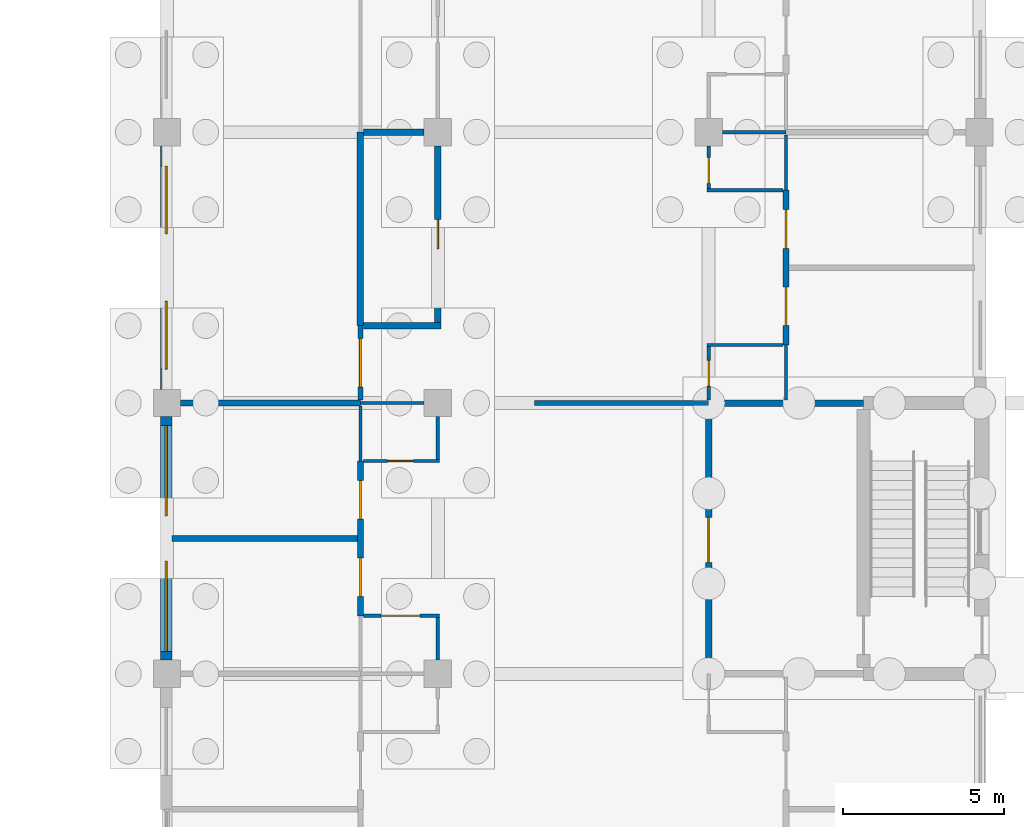
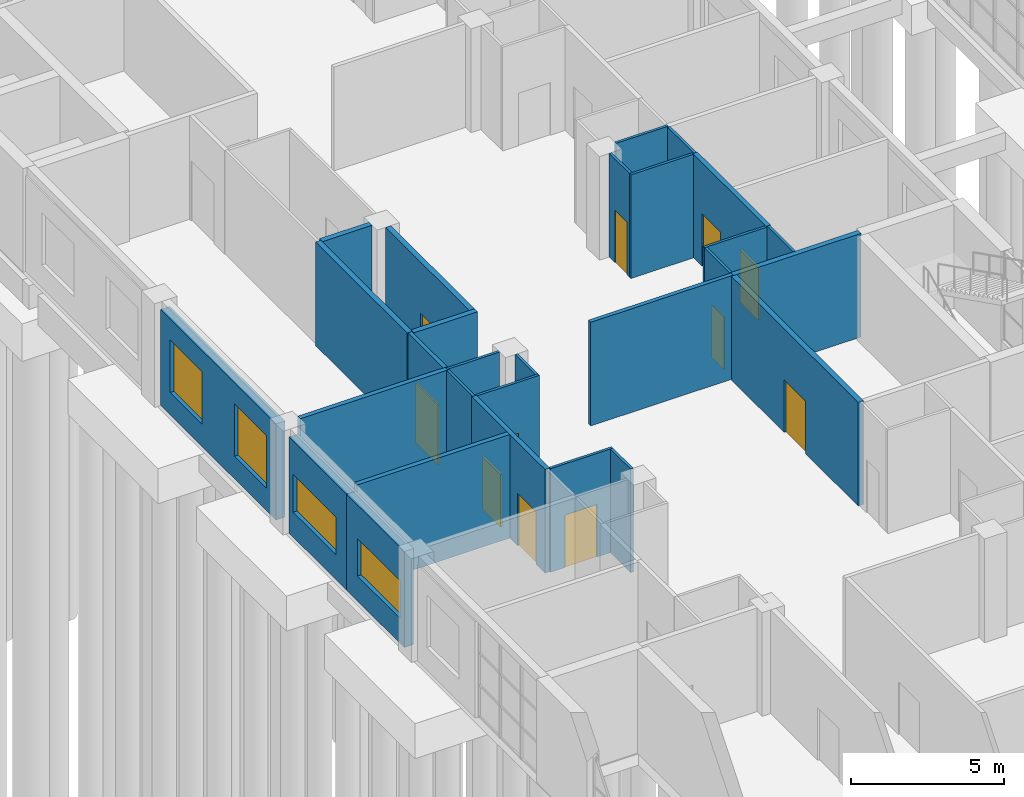
# One storey, part 103 of 138: 28 walls, 11 doors, 4 windows, 15 openings.
"""IFC4 building model written with IfcOpenShell, lengths in metres."""

from ifc_helpers import new_model, si_unit, direction, frame, frame_2d, origin, place, context, subcontext, project, spatial, rectangle, extrude, material, layer, layer_set, type_object, element, fill, save


model = new_model("IFC4")

# Units and contexts
model_context = context("Model", 3, precision=1e-05, world=origin(), true_north=direction((0.0, 1.0)))
body_context = subcontext(model_context, "Body", "Model", "MODEL_VIEW")
ifc_project = project(units=[si_unit("LENGTHUNIT", "METRE"), si_unit("AREAUNIT", "SQUARE_METRE"), si_unit("VOLUMEUNIT", "CUBIC_METRE"), si_unit("PLANEANGLEUNIT", "RADIAN"), si_unit("MASSUNIT", "GRAM", prefix="KILO")], contexts=[model_context])

# Site, building, storey
site_placement = place(None, origin())
site = spatial("IfcSite", under=ifc_project, at=site_placement, CompositionType="ELEMENT")
building_placement = place(site_placement, origin())
building = spatial("IfcBuilding", under=site, at=building_placement, Name="Yavir Park General Hospital", CompositionType="ELEMENT")
storey_placement = place(building_placement, origin())
storey = spatial("IfcBuildingStorey", under=building, at=storey_placement, Name="L00", CompositionType="ELEMENT", Elevation=0.0)

# Walls
ifc_material_1 = material(Name="Double-leaf gypsum board acoustic partition on staggered studs")
ifc_layer_1 = layer(ifc_material_1, 0.175048828125)
ifc_layer_set_1 = layer_set([ifc_layer_1], Name="Double-leaf gypsum board acoustic partition on staggered studs")
wall_type_1 = type_object("IfcWallType", Name="Acoustic partition 175", PredefinedType="PARTITIONING", material=ifc_layer_set_1)
wall_1_placement = place(storey_placement, frame((0.14990234375, 46.199951171875, 0.0), z_axis=(0.0, 0.0, 1.0), x_axis=(1.0, 0.0, 0.0)))
element("IfcWall", 1, at=wall_1_placement, inside=storey, type_object=wall_type_1, Name="AP175 L00-117", PredefinedType="PARTITIONING", context=body_context, shape_type="SweptSolid", body=[
    extrude(rectangle(XDim=5.7626953125, YDim=0.175048828125, at=frame_2d((2.88134765625, 0.0))), origin(), (0.0, 0.0, 1.0), 4.139892578125),
])
wall_2_placement = place(storey_placement, frame((0.425048828125, 50.39990234375, 0.0), z_axis=(0.0, 0.0, 1.0), x_axis=(1.0, 0.0, 0.0)))
element("IfcWall", 2, at=wall_2_placement, inside=storey, type_object=wall_type_1, Name="AP175 L00-123", PredefinedType="PARTITIONING", context=body_context, shape_type="SweptSolid", body=[
    extrude(rectangle(XDim=5.574951171875, YDim=0.175048828125, at=frame_2d((2.78759765625, 0.0))), origin(), (0.0, 0.0, 1.0), 4.139892578125),
])

# Wall, openings, doors
wall_3_placement = place(storey_placement, frame((6.0, 43.800048828125, 0.0), z_axis=(0.0, 0.0, 1.0), x_axis=(0.0, 1.0, 0.0)))
wall_3 = element("IfcWall", 3, at=wall_3_placement, inside=storey, type_object=wall_type_1, Name="AP175 L00-260", PredefinedType="PARTITIONING", context=body_context, shape_type="SweptSolid", body=[
    extrude(rectangle(XDim=4.800048828125, YDim=0.175048828125, at=frame_2d((2.39990234375, 0.0))), origin(), (0.0, 0.0, 1.0), 4.139892578125),
])
opening_1_placement = place(wall_3_placement, frame((0.60009765625, 0.0, 0.0)))
opening_1 = element("IfcOpeningElement", 4, at=opening_1_placement, cuts=wall_3, Name="Opening L00.D133", PredefinedType="OPENING", context=body_context, shape_type="SweptSolid", body=[
    extrude(rectangle(XDim=1.199951171875, YDim=2.10009765625, at=frame_2d((0.60009765625, 1.050048828125))), frame((0.0, 0.097412109375, 0.0), z_axis=(0.0, -1.0, 0.0), x_axis=(1.0, 0.0, 0.0)), (0.0, 0.0, 1.0), 0.195068359375),
])
opening_2_placement = place(wall_3_placement, frame((3.0, 0.0, 0.0)))
opening_2 = element("IfcOpeningElement", 5, at=opening_2_placement, cuts=wall_3, Name="Opening L00.D134", PredefinedType="OPENING", context=body_context, shape_type="SweptSolid", body=[
    extrude(rectangle(XDim=1.199951171875, YDim=2.10009765625, at=frame_2d((0.60009765625, 1.050048828125))), frame((0.0, 0.097412109375, 0.0), z_axis=(0.0, -1.0, 0.0), x_axis=(1.0, 0.0, 0.0)), (0.0, 0.0, 1.0), 0.195068359375),
])
ifc_material_2 = material(Name="Sealed solid-core acoustic door leaf, Rw 42 dB")
door_type_1 = type_object("IfcDoorType", Name="Acoustic door 1200 x 2100", OperationType="SINGLE_SWING_LEFT", PredefinedType="DOOR", material=ifc_material_2)
door_1_placement = place(opening_1_placement, origin())
door_1 = element("IfcDoor", 6, at=door_1_placement, inside=storey, type_object=door_type_1, Name="L00.D133", OperationType="SINGLE_SWING_LEFT", OverallHeight=2.10009765625, OverallWidth=1.199951171875, PredefinedType="DOOR", context=body_context, shape_type="SweptSolid", body=[
    extrude(rectangle(XDim=1.199951171875, YDim=2.10009765625, at=frame_2d((0.60009765625, 1.050048828125))), frame((0.0, 0.03515625, 0.0), z_axis=(0.0, -1.0, 0.0), x_axis=(1.0, 0.0, 0.0)), (0.0, 0.0, 1.0), 0.070068359375),
])
fill(opening_1, door_1)
door_2_placement = place(opening_2_placement, origin())
door_2 = element("IfcDoor", 7, at=door_2_placement, inside=storey, type_object=door_type_1, Name="L00.D134", OperationType="SINGLE_SWING_RIGHT", OverallHeight=2.10009765625, OverallWidth=1.199951171875, PredefinedType="DOOR", context=body_context, shape_type="SweptSolid", body=[
    extrude(rectangle(XDim=1.199951171875, YDim=2.10009765625, at=frame_2d((0.60009765625, 1.050048828125))), frame((0.0, 0.03515625, 0.0), z_axis=(0.0, -1.0, 0.0), x_axis=(1.0, 0.0, 0.0)), (0.0, 0.0, 1.0), 0.070068359375),
])
fill(opening_2, door_2)

wall_4_placement = place(storey_placement, frame((19.199951171875, 52.199951171875, 0.0), z_axis=(0.0, 0.0, 1.0), x_axis=(0.0, 1.0, 0.0)))
wall_4 = element("IfcWall", 8, at=wall_4_placement, inside=storey, type_object=wall_type_1, Name="AP175 L00-320", PredefinedType="PARTITIONING", context=body_context, shape_type="SweptSolid", body=[
    extrude(rectangle(XDim=4.800048828125, YDim=0.175048828125, at=frame_2d((2.39990234375, 0.0))), origin(), (0.0, 0.0, 1.0), 4.139892578125),
])
opening_3_placement = place(wall_4_placement, frame((0.60009765625, 0.0, 0.0)))
opening_3 = element("IfcOpeningElement", 9, at=opening_3_placement, cuts=wall_4, Name="Opening L00.D178", PredefinedType="OPENING", context=body_context, shape_type="SweptSolid", body=[
    extrude(rectangle(XDim=1.199951171875, YDim=2.10009765625, at=frame_2d((0.60009765625, 1.050048828125))), frame((0.0, 0.097412109375, 0.0), z_axis=(0.0, -1.0, 0.0), x_axis=(1.0, 0.0, 0.0)), (0.0, 0.0, 1.0), 0.195068359375),
])
opening_4_placement = place(wall_4_placement, frame((3.0, 0.0, 0.0)))
opening_4 = element("IfcOpeningElement", 10, at=opening_4_placement, cuts=wall_4, Name="Opening L00.D179", PredefinedType="OPENING", context=body_context, shape_type="SweptSolid", body=[
    extrude(rectangle(XDim=1.199951171875, YDim=2.10009765625, at=frame_2d((0.60009765625, 1.050048828125))), frame((0.0, 0.097412109375, 0.0), z_axis=(0.0, -1.0, 0.0), x_axis=(1.0, 0.0, 0.0)), (0.0, 0.0, 1.0), 0.195068359375),
])
door_3_placement = place(opening_3_placement, origin())
door_3 = element("IfcDoor", 11, at=door_3_placement, inside=storey, type_object=door_type_1, Name="L00.D178", OperationType="SINGLE_SWING_RIGHT", OverallHeight=2.10009765625, OverallWidth=1.199951171875, PredefinedType="DOOR", context=body_context, shape_type="SweptSolid", body=[
    extrude(rectangle(XDim=1.199951171875, YDim=2.10009765625, at=frame_2d((0.60009765625, 1.050048828125))), frame((0.0, 0.03515625, 0.0), z_axis=(0.0, -1.0, 0.0), x_axis=(1.0, 0.0, 0.0)), (0.0, 0.0, 1.0), 0.070068359375),
])
fill(opening_3, door_3)
door_4_placement = place(opening_4_placement, origin())
door_4 = element("IfcDoor", 12, at=door_4_placement, inside=storey, type_object=door_type_1, Name="L00.D179", OperationType="SINGLE_SWING_LEFT", OverallHeight=2.10009765625, OverallWidth=1.199951171875, PredefinedType="DOOR", context=body_context, shape_type="SweptSolid", body=[
    extrude(rectangle(XDim=1.199951171875, YDim=2.10009765625, at=frame_2d((0.60009765625, 1.050048828125))), frame((0.0, 0.03515625, 0.0), z_axis=(0.0, -1.0, 0.0), x_axis=(1.0, 0.0, 0.0)), (0.0, 0.0, 1.0), 0.070068359375),
])
fill(opening_4, door_4)

# Walls
ifc_material_3 = material(Name="Double gypsum board fire partition on steel studs", Category="steel")
ifc_layer_2 = layer(ifc_material_3, 0.199951171875)
ifc_layer_set_2 = layer_set([ifc_layer_2], Name="Double gypsum board fire partition on steel studs")
wall_type_2 = type_object("IfcWallType", Name="Fire-rated partition 200, EI 60", PredefinedType="PARTITIONING", material=ifc_layer_set_2)
wall_5_placement = place(storey_placement, frame((16.800048828125, 50.39990234375, 0.0), z_axis=(0.0, 0.0, 1.0), x_axis=(1.0, 0.0, 0.0)))
element("IfcWall", 13, at=wall_5_placement, inside=storey, type_object=wall_type_2, Name="FP20 L00-126", PredefinedType="PARTITIONING", context=body_context, shape_type="SweptSolid", body=[
    extrude(rectangle(XDim=4.800048828125, YDim=0.199951171875, at=frame_2d((2.39990234375, 0.0))), origin(), (0.0, 0.0, 1.0), 4.139892578125),
])
wall_6_placement = place(storey_placement, frame((6.10009765625, 52.800048828125, 0.0), z_axis=(0.0, 0.0, 1.0), x_axis=(1.0, 0.0, 0.0)))
element("IfcWall", 14, at=wall_6_placement, inside=storey, type_object=wall_type_2, Name="FP20 L00-135", PredefinedType="PARTITIONING", context=body_context, shape_type="SweptSolid", body=[
    extrude(rectangle(XDim=2.39990234375, YDim=0.199951171875, at=frame_2d((1.199951171875, 0.0))), origin(), (0.0, 0.0, 1.0), 4.139892578125),
])
wall_7_placement = place(storey_placement, frame((6.10009765625, 58.800048828125, 0.0), z_axis=(0.0, 0.0, 1.0), x_axis=(1.0, 0.0, 0.0)))
element("IfcWall", 15, at=wall_7_placement, inside=storey, type_object=wall_type_2, Name="FP20 L00-142", PredefinedType="PARTITIONING", context=body_context, shape_type="SweptSolid", body=[
    extrude(rectangle(XDim=1.875, YDim=0.199951171875, at=frame_2d((0.9375, 0.0))), origin(), (0.0, 0.0, 1.0), 4.139892578125),
])
wall_8_placement = place(storey_placement, frame((6.0, 52.800048828125, 0.0), z_axis=(0.0, 0.0, 1.0), x_axis=(0.0, 1.0, 0.0)))
element("IfcWall", 16, at=wall_8_placement, inside=storey, type_object=wall_type_2, Name="FP20 L00-263", PredefinedType="PARTITIONING", context=body_context, shape_type="SweptSolid", body=[
    extrude(rectangle(XDim=6.0, YDim=0.199951171875, at=frame_2d((3.0, 0.0))), origin(), (0.0, 0.0, 1.0), 4.139892578125),
])

# Wall, opening, door
wall_9_placement = place(storey_placement, frame((8.39990234375, 52.89990234375, 0.0), z_axis=(0.0, 0.0, 1.0), x_axis=(0.0, 1.0, 0.0)))
wall_9 = element("IfcWall", 17, at=wall_9_placement, inside=storey, type_object=wall_type_2, Name="FP20 L00-284", PredefinedType="PARTITIONING", context=body_context, shape_type="SweptSolid", body=[
    extrude(rectangle(XDim=5.47509765625, YDim=0.199951171875, at=frame_2d((2.737548828125, 0.0))), origin(), (0.0, 0.0, 1.0), 4.139892578125),
])
opening_5_placement = place(wall_9_placement, frame((2.28759765625, 0.0, 0.0)))
opening_5 = element("IfcOpeningElement", 18, at=opening_5_placement, cuts=wall_9, Name="Opening L00.D150", PredefinedType="OPENING", context=body_context, shape_type="SweptSolid", body=[
    extrude(rectangle(XDim=0.89990234375, YDim=2.10009765625, at=frame_2d((0.449951171875, 1.050048828125))), frame((0.0, 0.10986328125, 0.0), z_axis=(0.0, -1.0, 0.0), x_axis=(1.0, 0.0, 0.0)), (0.0, 0.0, 1.0), 0.219970703125),
])
ifc_material_4 = material(Name="Steel frame, fire-resisting timber leaf", Category="steel")
door_type_2 = type_object("IfcDoorType", Name="Fire door 900 x 2100, EI 60", OperationType="SINGLE_SWING_LEFT", PredefinedType="DOOR", material=ifc_material_4)
door_5_placement = place(opening_5_placement, origin())
door_5 = element("IfcDoor", 19, at=door_5_placement, inside=storey, type_object=door_type_2, Name="L00.D150", OperationType="SINGLE_SWING_LEFT", OverallHeight=2.10009765625, OverallWidth=0.89990234375, PredefinedType="DOOR", context=body_context, shape_type="SweptSolid", body=[
    extrude(rectangle(XDim=0.89990234375, YDim=2.10009765625, at=frame_2d((0.449951171875, 1.050048828125))), frame((0.0, 0.02490234375, 0.0), z_axis=(0.0, -1.0, 0.0), x_axis=(1.0, 0.0, 0.0)), (0.0, 0.0, 1.0), 0.050048828125),
])
fill(opening_5, door_5)

wall_10_placement = place(storey_placement, frame((16.800048828125, 42.0, 0.0), z_axis=(0.0, 0.0, 1.0), x_axis=(0.0, 1.0, 0.0)))
wall_10 = element("IfcWall", 20, at=wall_10_placement, inside=storey, type_object=wall_type_2, Name="FP20 L00-301", PredefinedType="PARTITIONING", context=body_context, shape_type="SweptSolid", body=[
    extrude(rectangle(XDim=8.300048828125, YDim=0.199951171875, at=frame_2d((4.14990234375, 0.0))), origin(), (0.0, 0.0, 1.0), 4.139892578125),
])
opening_6_placement = place(wall_10_placement, frame((3.449951171875, 0.0, 0.0)))
opening_6 = element("IfcOpeningElement", 21, at=opening_6_placement, cuts=wall_10, Name="Opening L00.D164", PredefinedType="OPENING", context=body_context, shape_type="SweptSolid", body=[
    extrude(rectangle(XDim=1.39990234375, YDim=2.10009765625, at=frame_2d((0.699951171875, 1.050048828125))), frame((0.0, 0.10986328125, 0.0), z_axis=(0.0, -1.0, 0.0), x_axis=(1.0, 0.0, 0.0)), (0.0, 0.0, 1.0), 0.219970703125),
])
ifc_material_5 = material(Name="Steel frame, fire-resisting timber leaves", Category="steel")
door_type_3 = type_object("IfcDoorType", Name="Double fire door 1400 x 2100, EI 60", OperationType="DOUBLE_DOOR_SINGLE_SWING", PredefinedType="DOOR", material=ifc_material_5)
door_6_placement = place(opening_6_placement, origin())
door_6 = element("IfcDoor", 22, at=door_6_placement, inside=storey, type_object=door_type_3, Name="L00.D164", OperationType="SINGLE_SWING_LEFT", OverallHeight=2.10009765625, OverallWidth=1.39990234375, PredefinedType="DOOR", context=body_context, shape_type="SweptSolid", body=[
    extrude(rectangle(XDim=1.39990234375, YDim=2.10009765625, at=frame_2d((0.699951171875, 1.050048828125))), frame((0.0, 0.02490234375, 0.0), z_axis=(0.0, -1.0, 0.0), x_axis=(1.0, 0.0, 0.0)), (0.0, 0.0, 1.0), 0.050048828125),
])
fill(opening_6, door_6)

ifc_material_6 = material(Name="Gypsum board partition on steel studs", Category="steel")
ifc_layer_3 = layer(ifc_material_6, 0.10009765625)
ifc_layer_set_3 = layer_set([ifc_layer_3], Name="Gypsum board partition on steel studs")
wall_type_3 = type_object("IfcWallType", Name="Gypsum board partition 100", PredefinedType="PARTITIONING", material=ifc_layer_set_3)
wall_11_placement = place(storey_placement, frame((6.08740234375, 43.800048828125, 0.0), z_axis=(0.0, 0.0, 1.0), x_axis=(1.0, 0.0, 0.0)))
wall_11 = element("IfcWall", 23, at=wall_11_placement, inside=storey, type_object=wall_type_3, Name="P10 L00-115", PredefinedType="PARTITIONING", context=body_context, shape_type="SweptSolid", body=[
    extrude(rectangle(XDim=2.362548828125, YDim=0.10009765625, at=frame_2d((1.18115234375, 0.0))), origin(), (0.0, 0.0, 1.0), 4.139892578125),
])
opening_7_placement = place(wall_11_placement, frame((0.55615234375, 0.0, 0.0)))
opening_7 = element("IfcOpeningElement", 24, at=opening_7_placement, cuts=wall_11, Name="Opening L00.D086", PredefinedType="OPENING", context=body_context, shape_type="SweptSolid", body=[
    extrude(rectangle(XDim=1.199951171875, YDim=2.10009765625, at=frame_2d((0.60009765625, 1.050048828125))), frame((0.0, 0.06005859375, 0.0), z_axis=(0.0, -1.0, 0.0), x_axis=(1.0, 0.0, 0.0)), (0.0, 0.0, 1.0), 0.1201171875),
])
ifc_material_7 = material(Name="Timber frame, hollow-core leaves", Category="wood")
door_type_4 = type_object("IfcDoorType", Name="Double-leaf wardrobe door 1200 x 2100", OperationType="DOUBLE_DOOR_SINGLE_SWING", PredefinedType="DOOR", material=ifc_material_7)
door_7_placement = place(opening_7_placement, origin())
door_7 = element("IfcDoor", 25, at=door_7_placement, inside=storey, type_object=door_type_4, Name="L00.D086", OperationType="SINGLE_SWING_RIGHT", OverallHeight=2.10009765625, OverallWidth=1.199951171875, PredefinedType="DOOR", context=body_context, shape_type="SweptSolid", body=[
    extrude(rectangle(XDim=1.199951171875, YDim=2.10009765625, at=frame_2d((0.60009765625, 1.050048828125))), frame((0.0, 0.02001953125, 0.0), z_axis=(0.0, -1.0, 0.0), x_axis=(1.0, 0.0, 0.0)), (0.0, 0.0, 1.0), 0.0400390625),
])
fill(opening_7, door_7)

wall_12_placement = place(storey_placement, frame((6.08740234375, 48.60009765625, 0.0), z_axis=(0.0, 0.0, 1.0), x_axis=(1.0, 0.0, 0.0)))
wall_12 = element("IfcWall", 26, at=wall_12_placement, inside=storey, type_object=wall_type_3, Name="P10 L00-122", PredefinedType="PARTITIONING", context=body_context, shape_type="SweptSolid", body=[
    extrude(rectangle(XDim=2.362548828125, YDim=0.10009765625, at=frame_2d((1.18115234375, 0.0))), origin(), (0.0, 0.0, 1.0), 4.139892578125),
])
opening_8_placement = place(wall_12_placement, frame((0.75634765625, 0.0, 0.0)))
opening_8 = element("IfcOpeningElement", 27, at=opening_8_placement, cuts=wall_12, Name="Opening L00.D088", PredefinedType="OPENING", context=body_context, shape_type="SweptSolid", body=[
    extrude(rectangle(XDim=0.800048828125, YDim=2.10009765625, at=frame_2d((0.39990234375, 1.050048828125))), frame((0.0, 0.06005859375, 0.0), z_axis=(0.0, -1.0, 0.0), x_axis=(1.0, 0.0, 0.0)), (0.0, 0.0, 1.0), 0.1201171875),
])
ifc_material_8 = material(Name="Timber frame, hollow-core leaf", Category="wood")
door_type_5 = type_object("IfcDoorType", Name="Light cupboard door 800 x 2100", OperationType="SINGLE_SWING_LEFT", PredefinedType="DOOR", material=ifc_material_8)
door_8_placement = place(opening_8_placement, origin())
door_8 = element("IfcDoor", 28, at=door_8_placement, inside=storey, type_object=door_type_5, Name="L00.D088", OperationType="SINGLE_SWING_LEFT", OverallHeight=2.10009765625, OverallWidth=0.800048828125, PredefinedType="DOOR", context=body_context, shape_type="SweptSolid", body=[
    extrude(rectangle(XDim=0.800048828125, YDim=2.10009765625, at=frame_2d((0.39990234375, 1.050048828125))), frame((0.0, 0.02001953125, 0.0), z_axis=(0.0, -1.0, 0.0), x_axis=(1.0, 0.0, 0.0)), (0.0, 0.0, 1.0), 0.0400390625),
])
fill(opening_8, door_8)

# Walls
wall_13_placement = place(storey_placement, frame((6.0, 50.39990234375, 0.0), z_axis=(0.0, 0.0, 1.0), x_axis=(1.0, 0.0, 0.0)))
element("IfcWall", 29, at=wall_13_placement, inside=storey, type_object=wall_type_3, Name="P10 L00-124", PredefinedType="PARTITIONING", context=body_context, shape_type="SweptSolid", body=[
    extrude(rectangle(XDim=1.97509765625, YDim=0.10009765625, at=frame_2d((0.987548828125, 0.0))), origin(), (0.0, 0.0, 1.0), 4.139892578125),
])
for number, where, z_axis, x_axis, name in (
    (30, (16.75, 52.199951171875, 0.0), (0.0, 0.0, 1.0), (1.0, 0.0, 0.0), "P10 L00-134"),
    (31, (16.75, 57.0, 0.0), (0.0, 0.0, 1.0), (1.0, 0.0, 0.0), "P10 L00-141"),
):
    element("IfcWall", number, at=place(storey_placement, frame(where, z_axis=z_axis, x_axis=x_axis)), inside=storey, type_object=wall_type_3, Name=name, PredefinedType="PARTITIONING", context=body_context, shape_type="SweptSolid", body=[
        extrude(rectangle(XDim=2.362548828125, YDim=0.10009765625, at=frame_2d((1.18115234375, 0.0))), origin(), (0.0, 0.0, 1.0), 4.139892578125),
    ])
wall_14_placement = place(storey_placement, frame((17.22509765625, 58.800048828125, 0.0), z_axis=(0.0, 0.0, 1.0), x_axis=(1.0, 0.0, 0.0)))
element("IfcWall", 32, at=wall_14_placement, inside=storey, type_object=wall_type_3, Name="P10 L00-143", PredefinedType="PARTITIONING", context=body_context, shape_type="SweptSolid", body=[
    extrude(rectangle(XDim=1.974853515625, YDim=0.10009765625, at=frame_2d((0.9873046875, 0.0))), origin(), (0.0, 0.0, 1.0), 4.139892578125),
])
wall_15_placement = place(storey_placement, frame((6.0, 48.60009765625, 0.0), z_axis=(0.0, 0.0, 1.0), x_axis=(0.0, 1.0, 0.0)))
element("IfcWall", 33, at=wall_15_placement, inside=storey, type_object=wall_type_3, Name="P10 L00-261", PredefinedType="PARTITIONING", context=body_context, shape_type="SweptSolid", body=[
    extrude(rectangle(XDim=1.71240234375, YDim=0.10009765625, at=frame_2d((0.856201171875, 0.0))), origin(), (0.0, 0.0, 1.0), 4.139892578125),
])
wall_16_placement = place(storey_placement, frame((8.39990234375, 42.425048828125, 0.0), z_axis=(0.0, 0.0, 1.0), x_axis=(0.0, 1.0, 0.0)))
element("IfcWall", 34, at=wall_16_placement, inside=storey, type_object=wall_type_3, Name="P10 L00-282", PredefinedType="PARTITIONING", context=body_context, shape_type="SweptSolid", body=[
    extrude(rectangle(XDim=1.324951171875, YDim=0.10009765625, at=frame_2d((0.66259765625, 0.0))), origin(), (0.0, 0.0, 1.0), 4.139892578125),
])
wall_17_placement = place(storey_placement, frame((8.39990234375, 48.64990234375, 0.0), z_axis=(0.0, 0.0, 1.0), x_axis=(0.0, 1.0, 0.0)))
element("IfcWall", 35, at=wall_17_placement, inside=storey, type_object=wall_type_3, Name="P10 L00-283", PredefinedType="PARTITIONING", context=body_context, shape_type="SweptSolid", body=[
    extrude(rectangle(XDim=1.3251953125, YDim=0.10009765625, at=frame_2d((0.66259765625, 0.0))), origin(), (0.0, 0.0, 1.0), 4.139892578125),
])

# Wall, opening, door
wall_18_placement = place(storey_placement, frame((16.800048828125, 50.5, 0.0), z_axis=(0.0, 0.0, 1.0), x_axis=(0.0, 1.0, 0.0)))
wall_18 = element("IfcWall", 36, at=wall_18_placement, inside=storey, type_object=wall_type_3, Name="P10 L00-302", PredefinedType="PARTITIONING", context=body_context, shape_type="SweptSolid", body=[
    extrude(rectangle(XDim=1.64990234375, YDim=0.10009765625, at=frame_2d((0.824951171875, 0.0))), origin(), (0.0, 0.0, 1.0), 4.139892578125),
])
opening_9_placement = place(wall_18_placement, frame((0.425048828125, 0.0, 0.0)))
opening_9 = element("IfcOpeningElement", 37, at=opening_9_placement, cuts=wall_18, Name="Opening L00.D165", PredefinedType="OPENING", context=body_context, shape_type="SweptSolid", body=[
    extrude(rectangle(XDim=0.800048828125, YDim=2.10009765625, at=frame_2d((0.39990234375, 1.050048828125))), frame((0.0, 0.06005859375, 0.0), z_axis=(0.0, -1.0, 0.0), x_axis=(1.0, 0.0, 0.0)), (0.0, 0.0, 1.0), 0.1201171875),
])
door_9_placement = place(opening_9_placement, origin())
door_9 = element("IfcDoor", 38, at=door_9_placement, inside=storey, type_object=door_type_5, Name="L00.D165", OperationType="SINGLE_SWING_LEFT", OverallHeight=2.10009765625, OverallWidth=0.800048828125, PredefinedType="DOOR", context=body_context, shape_type="SweptSolid", body=[
    extrude(rectangle(XDim=0.800048828125, YDim=2.10009765625, at=frame_2d((0.39990234375, 1.050048828125))), frame((0.0, 0.02001953125, 0.0), z_axis=(0.0, -1.0, 0.0), x_axis=(1.0, 0.0, 0.0)), (0.0, 0.0, 1.0), 0.0400390625),
])
fill(opening_9, door_9)

wall_19_placement = place(storey_placement, frame((16.800048828125, 57.050048828125, 0.0), z_axis=(0.0, 0.0, 1.0), x_axis=(0.0, 1.0, 0.0)))
wall_19 = element("IfcWall", 39, at=wall_19_placement, inside=storey, type_object=wall_type_3, Name="P10 L00-303", PredefinedType="PARTITIONING", context=body_context, shape_type="SweptSolid", body=[
    extrude(rectangle(XDim=1.324951171875, YDim=0.10009765625, at=frame_2d((0.66259765625, 0.0))), origin(), (0.0, 0.0, 1.0), 4.139892578125),
])
opening_10_placement = place(wall_19_placement, frame((0.16259765625, 0.0, 0.0)))
opening_10 = element("IfcOpeningElement", 40, at=opening_10_placement, cuts=wall_19, Name="Opening L00.D166", PredefinedType="OPENING", context=body_context, shape_type="SweptSolid", body=[
    extrude(rectangle(XDim=0.800048828125, YDim=2.10009765625, at=frame_2d((0.39990234375, 1.050048828125))), frame((0.0, 0.06005859375, 0.0), z_axis=(0.0, -1.0, 0.0), x_axis=(1.0, 0.0, 0.0)), (0.0, 0.0, 1.0), 0.1201171875),
])
door_10_placement = place(opening_10_placement, origin())
door_10 = element("IfcDoor", 41, at=door_10_placement, inside=storey, type_object=door_type_5, Name="L00.D166", OperationType="SINGLE_SWING_LEFT", OverallHeight=2.10009765625, OverallWidth=0.800048828125, PredefinedType="DOOR", context=body_context, shape_type="SweptSolid", body=[
    extrude(rectangle(XDim=0.800048828125, YDim=2.10009765625, at=frame_2d((0.39990234375, 1.050048828125))), frame((0.0, 0.02001953125, 0.0), z_axis=(0.0, -1.0, 0.0), x_axis=(1.0, 0.0, 0.0)), (0.0, 0.0, 1.0), 0.0400390625),
])
fill(opening_10, door_10)

# Walls
wall_20_placement = place(storey_placement, frame((19.199951171875, 50.5, 0.0), z_axis=(0.0, 0.0, 1.0), x_axis=(0.0, 1.0, 0.0)))
element("IfcWall", 42, at=wall_20_placement, inside=storey, type_object=wall_type_3, Name="P10 L00-319", PredefinedType="PARTITIONING", context=body_context, shape_type="SweptSolid", body=[
    extrude(rectangle(XDim=1.699951171875, YDim=0.10009765625, at=frame_2d((0.85009765625, 0.0))), origin(), (0.0, 0.0, 1.0), 4.139892578125),
])
wall_21_placement = place(storey_placement, frame((19.199951171875, 57.0, 0.0), z_axis=(0.0, 0.0, 1.0), x_axis=(0.0, 1.0, 0.0)))
element("IfcWall", 43, at=wall_21_placement, inside=storey, type_object=wall_type_3, Name="P10 L00-321", PredefinedType="PARTITIONING", context=body_context, shape_type="SweptSolid", body=[
    extrude(rectangle(XDim=1.71240234375, YDim=0.10009765625, at=frame_2d((0.856201171875, 0.0))), origin(), (0.0, 0.0, 1.0), 4.139892578125),
])
ifc_material_9 = material(Name="Gypsum board partition on steel studs", Category="steel")
ifc_layer_4 = layer(ifc_material_9, 0.14990234375)
ifc_layer_set_4 = layer_set([ifc_layer_4], Name="Gypsum board partition on steel studs")
wall_type_4 = type_object("IfcWallType", Name="Gypsum board partition 150", PredefinedType="PARTITIONING", material=ifc_layer_set_4)
wall_22_placement = place(storey_placement, frame((11.39990234375, 50.39990234375, 0.0), z_axis=(0.0, 0.0, 1.0), x_axis=(1.0, 0.0, 0.0)))
element("IfcWall", 44, at=wall_22_placement, inside=storey, type_object=wall_type_4, Name="P15 L00-125", PredefinedType="PARTITIONING", context=body_context, shape_type="SweptSolid", body=[
    extrude(rectangle(XDim=5.400146484375, YDim=0.14990234375, at=frame_2d((2.7001953125, 0.0))), origin(), (0.0, 0.0, 1.0), 4.139892578125),
])

# Wall, opening, door
wall_23_placement = place(storey_placement, frame((6.0, 50.487548828125, 0.0), z_axis=(0.0, 0.0, 1.0), x_axis=(0.0, 1.0, 0.0)))
wall_23 = element("IfcWall", 45, at=wall_23_placement, inside=storey, type_object=wall_type_4, Name="P15 L00-262", PredefinedType="PARTITIONING", context=body_context, shape_type="SweptSolid", body=[
    extrude(rectangle(XDim=2.3125, YDim=0.14990234375, at=frame_2d((1.15625, 0.0))), origin(), (0.0, 0.0, 1.0), 4.139892578125),
])
opening_11_placement = place(wall_23_placement, frame((0.40625, 0.0, 0.0)))
opening_11 = element("IfcOpeningElement", 46, at=opening_11_placement, cuts=wall_23, Name="Opening L00.D135", PredefinedType="OPENING", context=body_context, shape_type="SweptSolid", body=[
    extrude(rectangle(XDim=1.5, YDim=2.39990234375, at=frame_2d((0.75, 1.199951171875))), frame((0.0, 0.0849609375, 0.0), z_axis=(0.0, -1.0, 0.0), x_axis=(1.0, 0.0, 0.0)), (0.0, 0.0, 1.0), 0.169921875),
])
ifc_material_10 = material(Name="Solid-core timber leaves, push plates, kick plates", Category="wood")
door_type_6 = type_object("IfcDoorType", Name="Bed door, unequal leaves 1500 x 2400", OperationType="DOUBLE_DOOR_SINGLE_SWING", PredefinedType="DOOR", material=ifc_material_10)
door_11_placement = place(opening_11_placement, origin())
door_11 = element("IfcDoor", 47, at=door_11_placement, inside=storey, type_object=door_type_6, Name="L00.D135", OperationType="SINGLE_SWING_RIGHT", OverallHeight=2.39990234375, OverallWidth=1.5, PredefinedType="DOOR", context=body_context, shape_type="SweptSolid", body=[
    extrude(rectangle(XDim=1.5, YDim=2.39990234375, at=frame_2d((0.75, 1.199951171875))), frame((0.0, 0.030029296875, 0.0), z_axis=(0.0, -1.0, 0.0), x_axis=(1.0, 0.0, 0.0)), (0.0, 0.0, 1.0), 0.06005859375),
])
fill(opening_11, door_11)

# Wall, opening, window
ifc_material_11 = material(Name="Concrete C30/37 precast panel with 120 mm mineral wool insulation", Category="concrete")
ifc_layer_5 = layer(ifc_material_11, 0.35009765625)
ifc_layer_set_5 = layer_set([ifc_layer_5], Name="Concrete C30/37 precast panel with 120 mm mineral wool insulation")
wall_type_5 = type_object("IfcWallType", Name="Precast cladding panel podium wall 350, E 30", PredefinedType="SOLIDWALL", material=ifc_layer_set_5)
wall_24_placement = place(storey_placement, frame((-0.02490234375, 42.425048828125, 0.0), z_axis=(0.0, 0.0, 1.0), x_axis=(0.0, 1.0, 0.0)))
wall_24 = element("IfcWall", 48, at=wall_24_placement, inside=storey, type_object=wall_type_5, Name="XW2 L00-103", PredefinedType="SOLIDWALL", context=body_context, shape_type="SweptSolid", body=[
    extrude(rectangle(XDim=3.77490234375, YDim=0.35009765625, at=frame_2d((1.887451171875, 0.0))), origin(), (0.0, 0.0, 1.0), 3.840087890625),
])
opening_12_placement = place(wall_24_placement, frame((0.27490234375, 0.0, 1.0)))
opening_12 = element("IfcOpeningElement", 49, at=opening_12_placement, cuts=wall_24, Name="Opening WRB2", PredefinedType="OPENING", context=body_context, shape_type="SweptSolid", body=[
    extrude(rectangle(XDim=2.800048828125, YDim=1.5, at=frame_2d((1.39990234375, 0.75))), frame((0.0, 0.18505859375, 0.0), z_axis=(0.0, -1.0, 0.0), x_axis=(1.0, 0.0, 0.0)), (0.0, 0.0, 1.0), 0.3701171875),
])
ifc_material_12 = material(Name="Aluminium frame, double glazed unit", Category="aluminium")
window_type_1 = type_object("IfcWindowType", Name="Tall ribbon window 2800 x 1500", PartitioningType="DOUBLE_PANEL_VERTICAL", PredefinedType="WINDOW", material=ifc_material_12)
window_1_placement = place(opening_12_placement, origin())
window_1 = element("IfcWindow", 50, at=window_1_placement, inside=storey, type_object=window_type_1, Name="WRB2 L00-033", OverallHeight=1.5, OverallWidth=2.800048828125, PartitioningType="DOUBLE_PANEL_VERTICAL", PredefinedType="WINDOW", context=body_context, shape_type="SweptSolid", body=[
    extrude(rectangle(XDim=2.800048828125, YDim=1.5, at=frame_2d((1.39990234375, 0.75))), frame((0.0, 0.030029296875, 0.0), z_axis=(0.0, -1.0, 0.0), x_axis=(1.0, 0.0, 0.0)), (0.0, 0.0, 1.0), 0.06005859375),
])
fill(opening_12, window_1)

wall_25_placement = place(storey_placement, frame((-0.02490234375, 46.199951171875, 0.0), z_axis=(0.0, 0.0, 1.0), x_axis=(0.0, 1.0, 0.0)))
wall_25 = element("IfcWall", 51, at=wall_25_placement, inside=storey, type_object=wall_type_5, Name="XW2 L00-104", PredefinedType="SOLIDWALL", context=body_context, shape_type="SweptSolid", body=[
    extrude(rectangle(XDim=3.775146484375, YDim=0.35009765625, at=frame_2d((1.8876953125, 0.0))), origin(), (0.0, 0.0, 1.0), 3.840087890625),
])
opening_13_placement = place(wall_25_placement, frame((0.699951171875, 0.0, 1.0)))
opening_13 = element("IfcOpeningElement", 52, at=opening_13_placement, cuts=wall_25, Name="Opening WRB2", PredefinedType="OPENING", context=body_context, shape_type="SweptSolid", body=[
    extrude(rectangle(XDim=2.800048828125, YDim=1.5, at=frame_2d((1.39990234375, 0.75))), frame((0.0, 0.18505859375, 0.0), z_axis=(0.0, -1.0, 0.0), x_axis=(1.0, 0.0, 0.0)), (0.0, 0.0, 1.0), 0.3701171875),
])
window_2_placement = place(opening_13_placement, origin())
window_2 = element("IfcWindow", 53, at=window_2_placement, inside=storey, type_object=window_type_1, Name="WRB2 L00-034", OverallHeight=1.5, OverallWidth=2.800048828125, PartitioningType="DOUBLE_PANEL_VERTICAL", PredefinedType="WINDOW", context=body_context, shape_type="SweptSolid", body=[
    extrude(rectangle(XDim=2.800048828125, YDim=1.5, at=frame_2d((1.39990234375, 0.75))), frame((0.0, 0.030029296875, 0.0), z_axis=(0.0, -1.0, 0.0), x_axis=(1.0, 0.0, 0.0)), (0.0, 0.0, 1.0), 0.06005859375),
])
fill(opening_13, window_2)

# Wall, openings, windows
wall_26_placement = place(storey_placement, frame((-0.02490234375, 50.824951171875, 0.0), z_axis=(0.0, 0.0, 1.0), x_axis=(0.0, 1.0, 0.0)))
wall_26 = element("IfcWall", 54, at=wall_26_placement, inside=storey, type_object=wall_type_5, Name="XW2 L00-105", PredefinedType="SOLIDWALL", context=body_context, shape_type="SweptSolid", body=[
    extrude(rectangle(XDim=7.550048828125, YDim=0.35009765625, at=frame_2d((3.77490234375, 0.0))), origin(), (0.0, 0.0, 1.0), 3.840087890625),
])
opening_14_placement = place(wall_26_placement, frame((0.625, 0.0, 0.89990234375)))
opening_14 = element("IfcOpeningElement", 55, at=opening_14_placement, cuts=wall_26, Name="Opening WA2", PredefinedType="OPENING", context=body_context, shape_type="SweptSolid", body=[
    extrude(rectangle(XDim=2.10009765625, YDim=2.10009765625, at=frame_2d((1.050048828125, 1.050048828125))), frame((0.0, 0.18505859375, 0.0), z_axis=(0.0, -1.0, 0.0), x_axis=(1.0, 0.0, 0.0)), (0.0, 0.0, 1.0), 0.3701171875),
])
opening_15_placement = place(wall_26_placement, frame((4.824951171875, 0.0, 0.89990234375)))
opening_15 = element("IfcOpeningElement", 56, at=opening_15_placement, cuts=wall_26, Name="Opening WA2", PredefinedType="OPENING", context=body_context, shape_type="SweptSolid", body=[
    extrude(rectangle(XDim=2.10009765625, YDim=2.10009765625, at=frame_2d((1.050048828125, 1.050048828125))), frame((0.0, 0.18505859375, 0.0), z_axis=(0.0, -1.0, 0.0), x_axis=(1.0, 0.0, 0.0)), (0.0, 0.0, 1.0), 0.3701171875),
])
ifc_material_13 = material(Name="Aluminium frame, double glazed unit", Category="aluminium")
window_type_2 = type_object("IfcWindowType", Name="Tall window 2100 x 2100", PartitioningType="DOUBLE_PANEL_VERTICAL", PredefinedType="WINDOW", material=ifc_material_13)
window_3_placement = place(opening_14_placement, origin())
window_3 = element("IfcWindow", 57, at=window_3_placement, inside=storey, type_object=window_type_2, Name="WA2 L00-035", OverallHeight=2.10009765625, OverallWidth=2.10009765625, PartitioningType="DOUBLE_PANEL_VERTICAL", PredefinedType="WINDOW", context=body_context, shape_type="SweptSolid", body=[
    extrude(rectangle(XDim=2.10009765625, YDim=2.10009765625, at=frame_2d((1.050048828125, 1.050048828125))), frame((0.0, 0.030029296875, 0.0), z_axis=(0.0, -1.0, 0.0), x_axis=(1.0, 0.0, 0.0)), (0.0, 0.0, 1.0), 0.06005859375),
])
fill(opening_14, window_3)
window_4_placement = place(opening_15_placement, origin())
window_4 = element("IfcWindow", 58, at=window_4_placement, inside=storey, type_object=window_type_2, Name="WA2 L00-036", OverallHeight=2.10009765625, OverallWidth=2.10009765625, PartitioningType="DOUBLE_PANEL_VERTICAL", PredefinedType="WINDOW", context=body_context, shape_type="SweptSolid", body=[
    extrude(rectangle(XDim=2.10009765625, YDim=2.10009765625, at=frame_2d((1.050048828125, 1.050048828125))), frame((0.0, 0.030029296875, 0.0), z_axis=(0.0, -1.0, 0.0), x_axis=(1.0, 0.0, 0.0)), (0.0, 0.0, 1.0), 0.06005859375),
])
fill(opening_15, window_4)

save(model, "model.ifc")
